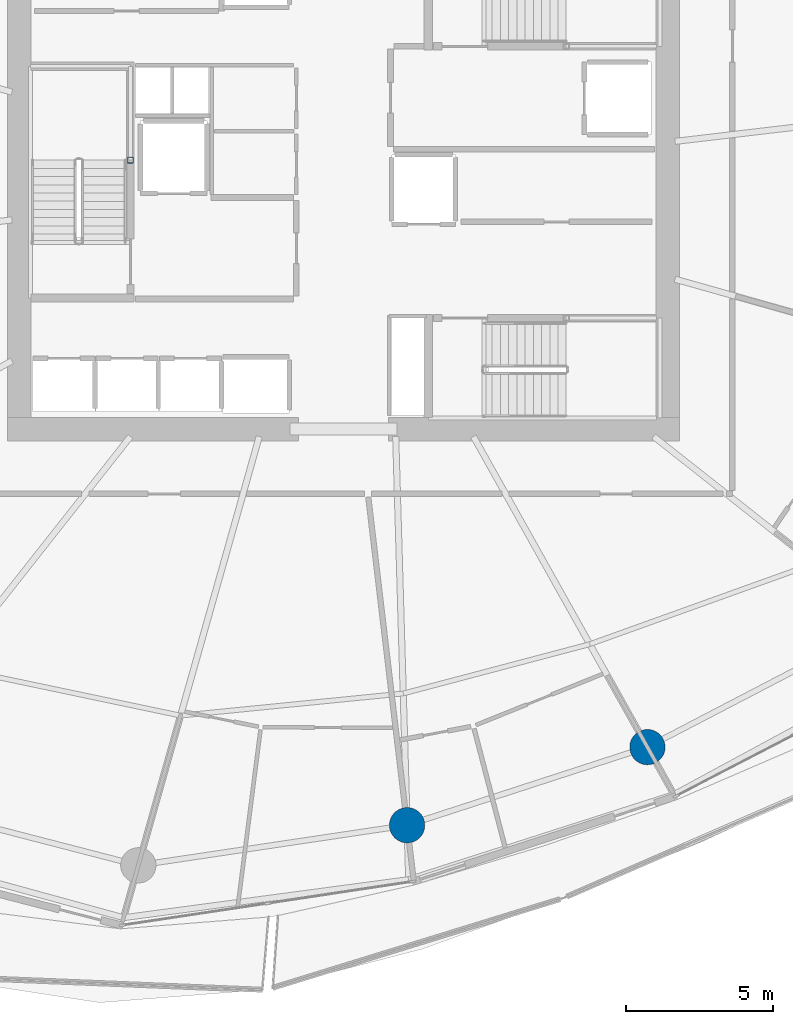
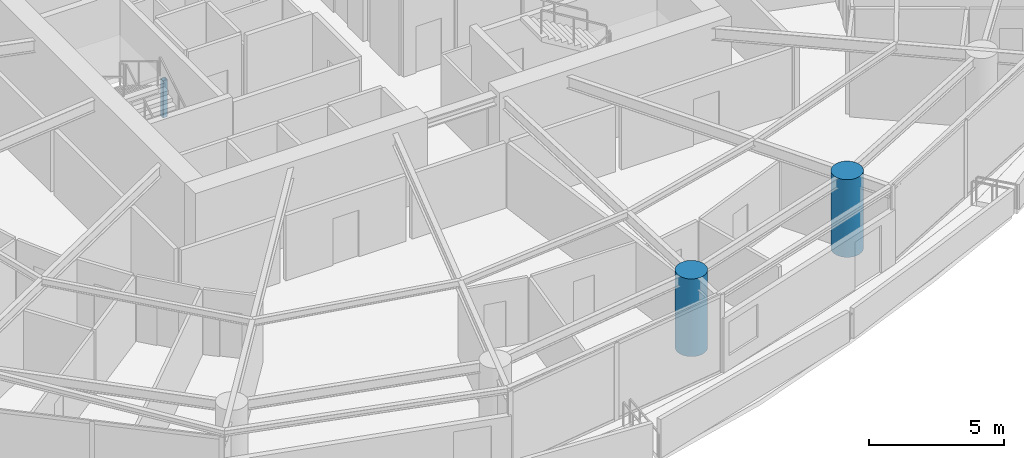
# One storey, part 2 of 23: 3 columns.
"""IFC4 building model written with IfcOpenShell, lengths in metres."""

from ifc_helpers import new_model, si_unit, direction, frame, origin, origin_2d, place, context, subcontext, project, spatial, hollow_rectangle, circle, extrude, material, material_profile, profile_set, type_object, element, save


model = new_model("IFC4")

# Units and contexts
model_context = context("Model", 3, precision=1e-05, world=origin(), true_north=direction((0.0, 1.0)))
body_context = subcontext(model_context, "Body", "Model", "MODEL_VIEW")
ifc_project = project(units=[si_unit("LENGTHUNIT", "METRE"), si_unit("AREAUNIT", "SQUARE_METRE"), si_unit("VOLUMEUNIT", "CUBIC_METRE"), si_unit("PLANEANGLEUNIT", "RADIAN"), si_unit("MASSUNIT", "GRAM", prefix="KILO")], contexts=[model_context])

# Site, building, storey
site_placement = place(None, origin())
site = spatial("IfcSite", under=ifc_project, at=site_placement, CompositionType="ELEMENT")
building_placement = place(site_placement, origin())
building = spatial("IfcBuilding", under=site, at=building_placement, Name="Kazma Halo Residences", CompositionType="ELEMENT")
storey_placement = place(building_placement, frame((0.0, 0.0, 82.64990234375)))
storey = spatial("IfcBuildingStorey", under=building, at=storey_placement, Name="L20", CompositionType="ELEMENT", Elevation=82.64990234375)

# Columns
ifc_material_1 = material(Name="Steel S355", Category="steel")
ifc_material_profile_1 = material_profile(ifc_material_1, hollow_rectangle(XDim=0.199951171875, YDim=0.199951171875, WallThickness=0.010009765625, InnerFilletRadius=0.010009765625, OuterFilletRadius=0.02001953125, at=origin_2d()), Name="SHS200x200x10")
ifc_profile_set_1 = profile_set([ifc_material_profile_1], Name="Steel S355")
column_type_1 = type_object("IfcColumnType", Name="COL-LP-SHS200", PredefinedType="COLUMN", material=ifc_profile_set_1)
column_placement = place(storey_placement, frame((41.179931640625, 42.75, 0.0), z_axis=(0.0, 0.0, 1.0), x_axis=(1.0, 0.0, 0.0)))
element("IfcColumn", 1, at=column_placement, inside=storey, type_object=column_type_1, Name="L20 ST-01 landing pilaster 1", PredefinedType="COLUMN", context=body_context, shape_type="SweptSolid", body=[
    extrude(hollow_rectangle(XDim=0.199951171875, YDim=0.199951171875, WallThickness=0.010009765625, InnerFilletRadius=0.010009765625, OuterFilletRadius=0.02001953125, at=origin_2d()), origin(), (0.0, 0.0, 1.0), 1.670166015625),
])
ifc_material_2 = material(Name="Concrete C80/95", Category="concrete")
ifc_material_profile_2 = material_profile(ifc_material_2, circle(Radius=0.60009765625, at=origin_2d()), Name="CIRC1200")
ifc_profile_set_2 = profile_set([ifc_material_profile_2], Name="Concrete C80/95")
column_type_2 = type_object("IfcColumnType", Name="COL-PERIM-1200", PredefinedType="COLUMN", material=ifc_profile_set_2)
for number, where, z_axis, x_axis, name in (
    (2, (50.58837890625, 20.130859375, 0.0), (0.0, 0.0, 1.0), (1.0, 0.0, 0.0), "L20 perimeter ring column P12"),
    (3, (58.76025390625, 22.7861328125, 0.0), (0.0, 0.0, 1.0), (1.0, 0.0, 0.0), "L20 perimeter ring column P13"),
):
    element("IfcColumn", number, at=place(storey_placement, frame(where, z_axis=z_axis, x_axis=x_axis)), inside=storey, type_object=column_type_2, Name=name, PredefinedType="COLUMN", context=body_context, shape_type="SweptSolid", body=[
        extrude(circle(Radius=0.60009765625, at=origin_2d()), origin(), (0.0, 0.0, 1.0), 3.5),
    ])

save(model, "model.ifc")
